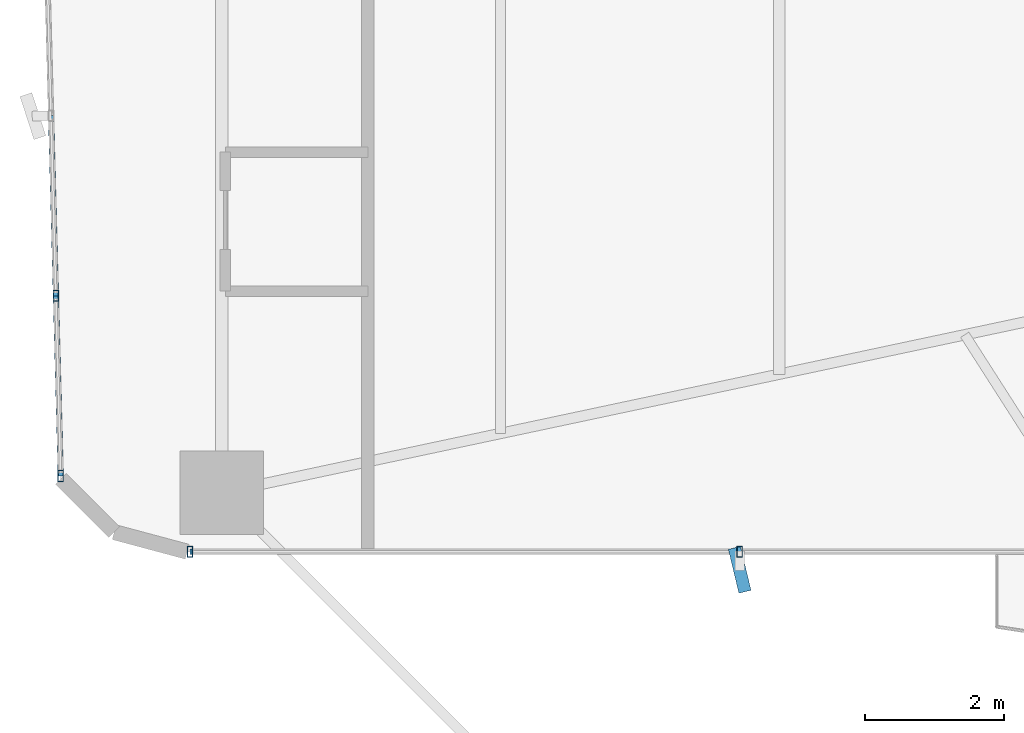
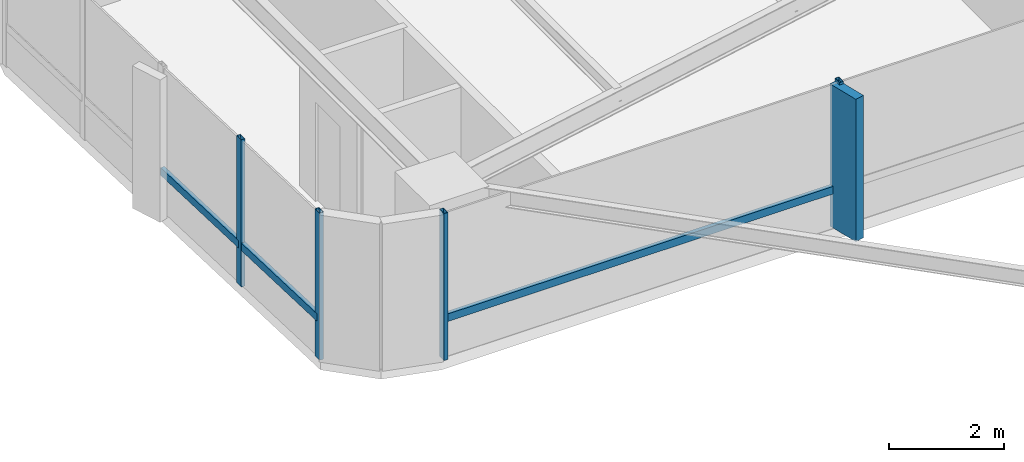
# One storey, part 6 of 25: 8 members, 2 elements without a shape of their own.
"""IFC4 building model written with IfcOpenShell, lengths in metres."""

import ifcopenshell
import ifcopenshell.guid

model = None  # the IFC model being written
_history = None  # IfcOwnerHistory: only IFC2X3 demands one
_inside = {}  # id of a spatial element -> (the spatial element, [elements in it])
_under = {}  # id of a project, library or spatial element -> (it, [spatial elements below it])
_declared = {}  # id of a project -> (the project, [libraries it declares])
_typed = {}  # id of a type object -> (the type object, [elements of that type])
_made_of = {}  # id of a material, layer set ... -> (it, [elements and type objects made of it])


def new_model(schema):
    """Start an empty IFC model of exactly this schema.

    Asked for "IFC4X3", IfcOpenShell would pick the latest addendum, in which some entities
    have other attributes; the version numbers below select the first issue.
    IFC2X3 requires an IfcOwnerHistory on every rooted entity: one is made here for all.
    """
    global model, _history
    if schema == "IFC4X3":
        model = ifcopenshell.file(schema_version=(4, 3, 0, 0))
    else:
        model = ifcopenshell.file(schema=schema)
    _inside.clear()
    _under.clear()
    _declared.clear()
    _typed.clear()
    _made_of.clear()
    _history = None
    if model.schema == "IFC2X3":
        org = make("IfcOrganization", Name="unknown")
        user = make(
            "IfcPersonAndOrganization",
            ThePerson=make("IfcPerson", FamilyName="unknown"),
            TheOrganization=org,
        )
        app = make(
            "IfcApplication",
            ApplicationDeveloper=org,
            Version="unknown",
            ApplicationFullName="unknown",
            ApplicationIdentifier="unknown",
        )
        _history = make(
            "IfcOwnerHistory",
            OwningUser=user,
            OwningApplication=app,
            ChangeAction="ADDED",
            CreationDate=0,
        )
    return model


def make(cls, **values):
    """One entity of the class cls with the attributes given. An attribute that is None is left unset."""
    return model.create_entity(
        cls, **{name: value for name, value in values.items() if value is not None}
    )


def rooted(cls, **values):
    """An entity with a GlobalId (a new one), such as an element, a storey or a relation."""
    return make(cls, GlobalId=ifcopenshell.guid.new(), OwnerHistory=_history, **values)


def si_unit(unit_type, name, prefix=None):
    """IfcSIUnit, for example si_unit("LENGTHUNIT", "METRE", prefix="MILLI")."""
    return make("IfcSIUnit", UnitType=unit_type, Prefix=prefix, Name=name)


def assignment(units):
    """IfcUnitAssignment: the units of a project."""
    return None if units is None else make("IfcUnitAssignment", Units=units)


def point(xyz):
    """IfcCartesianPoint."""
    return None if xyz is None else make("IfcCartesianPoint", Coordinates=xyz)


def direction(xyz):
    """IfcDirection."""
    return None if xyz is None else make("IfcDirection", DirectionRatios=xyz)


def frame(location, z_axis=None, x_axis=None):
    """IfcAxis2Placement3D, a coordinate frame: its origin and axes. An axis left out is left unset."""
    return make(
        "IfcAxis2Placement3D",
        Location=point(location),
        Axis=direction(z_axis),
        RefDirection=direction(x_axis),
    )


def frame_2d(location, x_axis=None):
    """IfcAxis2Placement2D, a coordinate frame in the plane: its origin and x axis."""
    return make(
        "IfcAxis2Placement2D", Location=point(location), RefDirection=direction(x_axis)
    )


def origin():
    """The frame at (0, 0, 0) with its axes left unset."""
    return frame((0.0, 0.0, 0.0))


def origin_2d():
    """The frame at (0, 0) in the plane with its x axis left unset."""
    return frame_2d((0.0, 0.0))


def place(relative_to, where):
    """IfcLocalPlacement: puts the frame where relative to a parent placement (None: the world)."""
    return make(
        "IfcLocalPlacement", PlacementRelTo=relative_to, RelativePlacement=where
    )


def context(
    kind, dimensions, precision=None, world=None, true_north=None, identifier=None
):
    """IfcGeometricRepresentationContext, for example the 3D "Model" context."""
    return make(
        "IfcGeometricRepresentationContext",
        ContextIdentifier=identifier,
        ContextType=kind,
        CoordinateSpaceDimension=dimensions,
        Precision=precision,
        WorldCoordinateSystem=world,
        TrueNorth=true_north,
    )


def subcontext(parent, identifier, kind, view, scale=None):
    """IfcGeometricRepresentationSubContext, for example "Body" below "Model"."""
    return make(
        "IfcGeometricRepresentationSubContext",
        ContextIdentifier=identifier,
        ContextType=kind,
        ParentContext=parent,
        TargetScale=scale,
        TargetView=view,
    )


def project(units=None, contexts=None):
    """IfcProject with its units and contexts."""
    return rooted(
        "IfcProject",
        Name="project",
        RepresentationContexts=contexts,
        UnitsInContext=assignment(units),
    )


def spatial(cls, under=None, at=None, **own):
    """A site, building, storey or space (cls), placed at a placement, below another one or the project."""
    s = rooted(cls, ObjectPlacement=at, **own)
    if under is not None:
        _under.setdefault(under.id(), (under, []))[1].append(s)
    return s


def profile(cls, at=None, kind="AREA", **sizes):
    """A parametric profile (cls). Its sizes go by their IFC names, for example OverallWidth=200.0."""
    return make(cls, ProfileType=kind, Position=at, **sizes)


def rectangle(**sizes):
    """IfcRectangleProfileDef."""
    return profile("IfcRectangleProfileDef", **sizes)


def hollow_rectangle(**sizes):
    """IfcRectangleHollowProfileDef."""
    return profile("IfcRectangleHollowProfileDef", **sizes)


def extrude(swept, where, along, depth):
    """IfcExtrudedAreaSolid: the profile swept, set in the frame where, extruded along a direction by depth."""
    return make(
        "IfcExtrudedAreaSolid",
        SweptArea=swept,
        Position=where,
        ExtrudedDirection=direction(along),
        Depth=depth,
    )


def shape(context_of_items, identifier, shape_type, items):
    """IfcShapeRepresentation: the items that make up one representation, for example the "Body"."""
    return make(
        "IfcShapeRepresentation",
        ContextOfItems=context_of_items,
        RepresentationIdentifier=identifier,
        RepresentationType=shape_type,
        Items=items,
    )


def source(mapping_origin, context_of_items, identifier, shape_type, items):
    """IfcRepresentationMap: a shape defined once, which mapped items show again and again."""
    return make(
        "IfcRepresentationMap",
        MappingOrigin=mapping_origin,
        MappedRepresentation=shape(context_of_items, identifier, shape_type, items),
    )


def transform(
    local_origin,
    x_axis=None,
    y_axis=None,
    z_axis=None,
    scale=None,
    scale2=None,
    scale3=None,
    uniform=True,
):
    """IfcCartesianTransformationOperator3D, or its non-uniform kind. x_axis, y_axis, z_axis: its Axis1, 2, 3."""
    if uniform:
        return make(
            "IfcCartesianTransformationOperator3D",
            Axis1=direction(x_axis),
            Axis2=direction(y_axis),
            LocalOrigin=point(local_origin),
            Scale=scale,
            Axis3=direction(z_axis),
        )
    return make(
        "IfcCartesianTransformationOperator3DnonUniform",
        Axis1=direction(x_axis),
        Axis2=direction(y_axis),
        LocalOrigin=point(local_origin),
        Scale=scale,
        Axis3=direction(z_axis),
        Scale2=scale2,
        Scale3=scale3,
    )


def mapped(mapping_source, mapping_target):
    """IfcMappedItem: shows the shape of a source again, moved by a transform."""
    return make(
        "IfcMappedItem", MappingSource=mapping_source, MappingTarget=mapping_target
    )


def material(Name=None, Category=None):
    """IfcMaterial."""
    return make("IfcMaterial", Name=Name, Category=Category)


def material_profile(
    of_material, cross_section, Name=None, Category=None, Priority=None
):
    """IfcMaterialProfile: a cross section and its material."""
    return make(
        "IfcMaterialProfile",
        Name=Name,
        Material=of_material,
        Profile=cross_section,
        Priority=Priority,
        Category=Category,
    )


def profile_set(profiles, Name=None, composite=None):
    """IfcMaterialProfileSet."""
    return make(
        "IfcMaterialProfileSet",
        Name=Name,
        MaterialProfiles=profiles,
        CompositeProfile=composite,
    )


def made_of(thing, what):
    """Note that an element or type object is made of a material, layer set ...; save() writes the relation."""
    if what is not None:
        _made_of.setdefault(what.id(), (what, []))[1].append(thing)
    return thing


def type_object(cls, material=None, **own):
    """A type object (cls), such as IfcWallType, which elements share."""
    return made_of(rooted(cls, **own), material)


def element(
    cls,
    number,
    at=None,
    inside=None,
    cuts=None,
    type_object=None,
    material=None,
    context=None,
    identifier="Body",
    shape_type=None,
    held_by="IfcProductDefinitionShape",
    body=None,
    shapes=None,
    **own,
):
    """One element of the class cls, such as IfcWall. Its Tag is "e" and its number.

    at: its placement. inside: the storey or other place that contains it. cuts: it is an
    opening in that element (IfcRelVoidsElement). A single representation is given by context,
    identifier, shape_type and body (its items); several are given by shapes. held_by: the class
    of the entity that holds the representations. save() writes the other relations.
    """
    e = rooted(cls, Tag="e%d" % number, ObjectPlacement=at, **own)
    if body is not None:
        shapes = [shape(context, identifier, shape_type, body)]
    if shapes is not None:
        e.Representation = make(held_by, Representations=shapes)
    if inside is not None:
        _inside.setdefault(inside.id(), (inside, []))[1].append(e)
    if cuts is not None:
        rooted(
            "IfcRelVoidsElement", RelatingBuildingElement=cuts, RelatedOpeningElement=e
        )
    if type_object is not None:
        _typed.setdefault(type_object.id(), (type_object, []))[1].append(e)
    return made_of(e, material)


def aggregate(whole, parts):
    """IfcRelAggregates: a whole, such as a stair, and the parts it consists of."""
    return rooted("IfcRelAggregates", RelatingObject=whole, RelatedObjects=parts)


def save(model, path):
    """Write the relations noted so far, then the file.

    IfcRelAggregates (storeys below a building ...), IfcRelContainedInSpatialStructure (elements
    in a storey), IfcRelDefinesByType, IfcRelAssociatesMaterial and IfcRelDeclares: one each for
    every whole, place, type object, material and project.
    """
    for whole, parts in _under.values():
        aggregate(whole, parts)
    for where, things in _inside.values():
        rooted(
            "IfcRelContainedInSpatialStructure",
            RelatedElements=things,
            RelatingStructure=where,
        )
    for kind, things in _typed.values():
        rooted("IfcRelDefinesByType", RelatedObjects=things, RelatingType=kind)
    for what, things in _made_of.values():
        rooted("IfcRelAssociatesMaterial", RelatedObjects=things, RelatingMaterial=what)
    for by, libraries in _declared.values():
        rooted("IfcRelDeclares", RelatingContext=by, RelatedDefinitions=libraries)
    model.write(path)


model = new_model("IFC4")

# Units and contexts
model_context = context("Model", 3, precision=1e-05, world=origin(), true_north=direction((0.0, 1.0)))
body_context = subcontext(model_context, "Body", "Model", "MODEL_VIEW")
ifc_project = project(units=[si_unit("LENGTHUNIT", "METRE"), si_unit("AREAUNIT", "SQUARE_METRE"), si_unit("VOLUMEUNIT", "CUBIC_METRE"), si_unit("PLANEANGLEUNIT", "RADIAN"), si_unit("MASSUNIT", "GRAM", prefix="KILO")], contexts=[model_context])

# Site, building, storey
site_placement = place(None, origin())
site = spatial("IfcSite", under=ifc_project, at=site_placement, CompositionType="ELEMENT")
building_placement = place(site_placement, origin())
building = spatial("IfcBuilding", under=site, at=building_placement, Name="Sahyath Konkavel Grand Hotel", CompositionType="ELEMENT")
storey_placement = place(building_placement, frame((0.0, 0.0, 36.5)))
storey = spatial("IfcBuildingStorey", under=building, at=storey_placement, Name="L09", CompositionType="ELEMENT", Elevation=36.5)

# Curtain wall, members
ifc_material_1 = material(Name="Anodised Bronze Aluminium & Low-E Glazing", Category="aluminium")
curtain_wall_type = type_object("IfcCurtainWallType", Name="CW-ZONE1", PredefinedType="NOTDEFINED", material=ifc_material_1)
curtain_wall_1_placement = place(storey_placement, origin())
curtain_wall_1 = element("IfcCurtainWall", 1, at=curtain_wall_1_placement, inside=storey, type_object=curtain_wall_type, Name="L09 Unitised Curtain Wall F23", PredefinedType="NOTDEFINED")
ifc_material_2 = material(Name="Warm Buff Sandstone Cladding on Concrete C50/60", Category="masonry")
ifc_material_profile_1 = material_profile(ifc_material_2, rectangle(XDim=0.179931640625, YDim=0.64990234375, at=origin_2d()), Name="FIN 180x650")
ifc_profile_set_1 = profile_set([ifc_material_profile_1], Name="Warm Buff Sandstone Cladding on Concrete C50/60")
member_type_1 = type_object("IfcMemberType", Name="FIN-SANDSTONE-650", PredefinedType="MULLION", material=ifc_profile_set_1)
shared_shape_1 = source(origin(), body_context, "Body", "SweptSolid", [
    extrude(rectangle(XDim=0.179931640625, YDim=0.64990234375, at=origin_2d()), origin(), (0.0, 0.0, 1.0), 3.010009765625),
])
member_1_placement = place(storey_placement, frame((-14.75, -7.06005859375, 0.050048828125), z_axis=(0.0, 0.0, 1.0), x_axis=(0.972369920398, 0.233445363856, 0.0)))
member_1 = element("IfcMember", 2, at=member_1_placement, type_object=member_type_1, Name="L09 Sandstone Vertical Solar Fin FIN F23-1", PredefinedType="MULLION", context=body_context, shape_type="MappedRepresentation", body=[
    mapped(shared_shape_1, transform((0.0, 0.0, 0.0), scale=1.0)),
])
ifc_material_3 = material(Name="Anodised Bronze Aluminium", Category="aluminium")
ifc_material_profile_2 = material_profile(ifc_material_3, hollow_rectangle(XDim=0.080078125, YDim=0.159912109375, WallThickness=0.006103515625, at=origin_2d()), Name="RHS 160x80x6")
ifc_profile_set_2 = profile_set([ifc_material_profile_2], Name="Anodised Bronze Aluminium")
member_type_2 = type_object("IfcMemberType", Name="CW-TRN-160", PredefinedType="USERDEFINED", material=ifc_profile_set_2)
shared_shape_2 = source(origin(), body_context, "Body", "SweptSolid", [
    extrude(hollow_rectangle(XDim=0.080078125, YDim=0.159912109375, WallThickness=0.006103515625, at=origin_2d()), origin(), (0.0, 0.0, 1.0), 7.909912109375),
])
member_2_placement = place(storey_placement, frame((-22.659912109375, -6.800048828125, 0.85009765625), z_axis=(1.0, 0.0, 0.0), x_axis=(0.0, 1.0, 0.0)))
member_2 = element("IfcMember", 3, at=member_2_placement, type_object=member_type_2, Name="L09 Curtain Wall Transom F23-0-spandrel", ObjectType="TRANSOM", PredefinedType="USERDEFINED", context=body_context, shape_type="MappedRepresentation", body=[
    mapped(shared_shape_2, transform((0.0, 0.0, 0.0), scale=1.0)),
])

curtain_wall_2_placement = place(storey_placement, origin())
curtain_wall_2 = element("IfcCurtainWall", 4, at=curtain_wall_2_placement, inside=storey, type_object=curtain_wall_type, Name="L09 Unitised Curtain Wall F20", PredefinedType="NOTDEFINED")
shared_shape_3 = source(origin(), body_context, "Body", "SweptSolid", [
    extrude(hollow_rectangle(XDim=0.080078125, YDim=0.159912109375, WallThickness=0.006103515625, at=origin_2d()), origin(), (0.0, 0.0, 1.0), 2.593505859375),
])
member_3_placement = place(storey_placement, frame((-24.6591796875, -0.52490234375, 0.85009765625), z_axis=(0.02682902444, -0.999640036937, 0.0), x_axis=(0.999640036937, 0.02682902444, 0.0)))
member_3 = element("IfcMember", 5, at=member_3_placement, type_object=member_type_2, Name="L09 Curtain Wall Transom F20-2-spandrel", ObjectType="TRANSOM", PredefinedType="USERDEFINED", context=body_context, shape_type="MappedRepresentation", body=[
    mapped(shared_shape_3, transform((0.0, 0.0, 0.0), scale=1.0)),
])
member_4_placement = place(storey_placement, frame((-24.589599609375, -3.117431640625, 0.85009765625), z_axis=(0.026923093252, -0.999637507825, 0.0), x_axis=(0.999637507825, 0.026923093252, 0.0)))
member_4 = element("IfcMember", 6, at=member_4_placement, type_object=member_type_2, Name="L09 Curtain Wall Transom F20-3-spandrel", ObjectType="TRANSOM", PredefinedType="USERDEFINED", context=body_context, shape_type="MappedRepresentation", body=[
    mapped(shared_shape_3, transform((0.0, 0.0, 0.0), scale=1.0)),
])
ifc_material_profile_3 = material_profile(ifc_material_3, hollow_rectangle(XDim=0.080078125, YDim=0.159912109375, WallThickness=0.006103515625, at=origin_2d()), Name="RHS 160x80x6")
ifc_profile_set_3 = profile_set([ifc_material_profile_3], Name="Anodised Bronze Aluminium")
member_type_3 = type_object("IfcMemberType", Name="CW-MUL-160", PredefinedType="MULLION", material=ifc_profile_set_3)
shared_shape_4 = source(origin(), body_context, "Body", "SweptSolid", [
    extrude(hollow_rectangle(XDim=0.080078125, YDim=0.159912109375, WallThickness=0.006103515625, at=origin_2d()), origin(), (0.0, 0.0, 1.0), 3.110107421875),
])
member_5_placement = place(storey_placement, frame((-24.589599609375, -3.117431640625, 0.0), z_axis=(0.0, 0.0, 1.0), x_axis=(1.0, 0.0, 0.0)))
member_5 = element("IfcMember", 7, at=member_5_placement, type_object=member_type_3, Name="L09 Curtain Wall Mullion F20-3", PredefinedType="MULLION", context=body_context, shape_type="MappedRepresentation", body=[
    mapped(shared_shape_4, transform((0.0, 0.0, 0.0), scale=1.0)),
])
member_6_placement = place(storey_placement, frame((-24.519775390625, -5.7099609375, 0.0), z_axis=(0.0, 0.0, 1.0), x_axis=(1.0, 0.0, 0.0)))
member_6 = element("IfcMember", 8, at=member_6_placement, type_object=member_type_3, Name="L09 Curtain Wall Mullion F20-4", PredefinedType="MULLION", context=body_context, shape_type="MappedRepresentation", body=[
    mapped(shared_shape_4, transform((0.0, 0.0, 0.0), scale=1.0)),
])
aggregate(curtain_wall_2, [member_5, member_6, member_3, member_4])

# Member
member_7_placement = place(storey_placement, frame((-22.659912109375, -6.800048828125, 0.0), z_axis=(0.0, 0.0, 1.0), x_axis=(1.0, 0.0, 0.0)))
member_7 = element("IfcMember", 9, at=member_7_placement, type_object=member_type_3, Name="L09 Curtain Wall Mullion F23-0", PredefinedType="MULLION", context=body_context, shape_type="MappedRepresentation", body=[
    mapped(shared_shape_4, transform((0.0, 0.0, 0.0), scale=1.0)),
])

member_8_placement = place(storey_placement, frame((-14.75, -6.800048828125, 0.0), z_axis=(0.0, 0.0, 1.0), x_axis=(1.0, 0.0, 0.0)))
member_8 = element("IfcMember", 10, at=member_8_placement, type_object=member_type_3, Name="L09 Curtain Wall Mullion F23-1", PredefinedType="MULLION", context=body_context, shape_type="MappedRepresentation", body=[
    mapped(shared_shape_4, transform((0.0, 0.0, 0.0), scale=1.0)),
])

aggregate(curtain_wall_1, [member_7, member_8, member_1, member_2])

save(model, "model.ifc")
